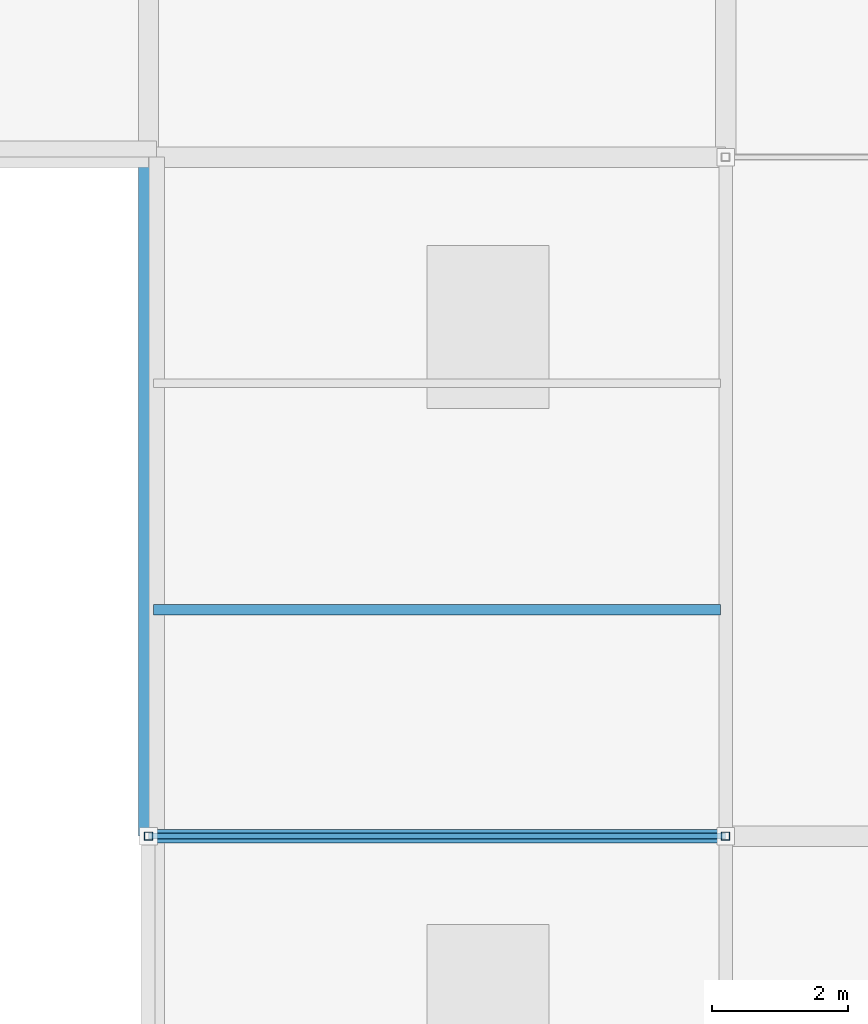
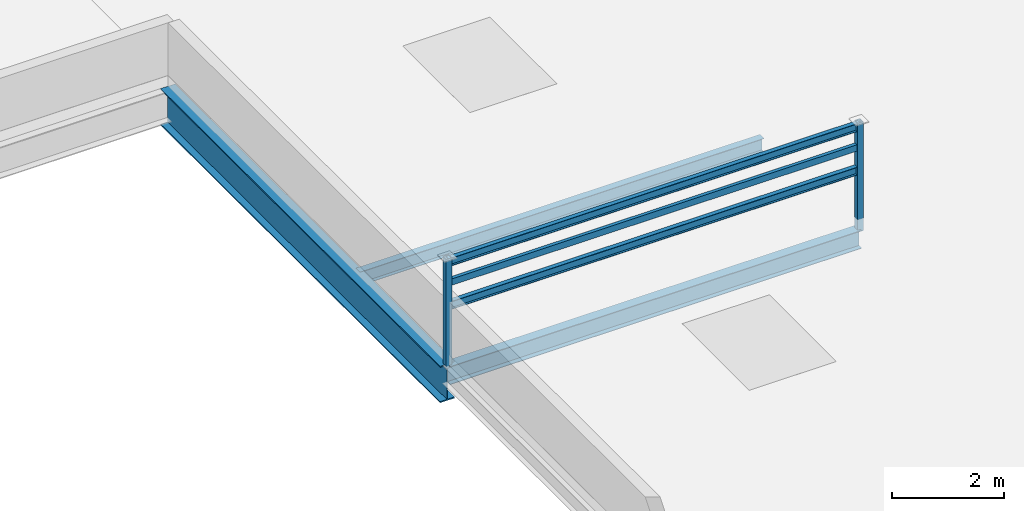
# One storey, part 4 of 35: 5 members, 3 beams.
"""IFC4 building model written with IfcOpenShell, lengths in metres."""

from ifc_helpers import new_model, si_unit, direction, frame, origin, origin_2d, place, context, subcontext, project, spatial, hollow_rectangle, i_section, extrude, material, material_profile, profile_set, type_object, element, save


model = new_model("IFC4")

# Units and contexts
model_context = context("Model", 3, precision=1e-05, world=origin(), true_north=direction((0.0, 1.0)))
body_context = subcontext(model_context, "Body", "Model", "MODEL_VIEW")
ifc_project = project(units=[si_unit("LENGTHUNIT", "METRE"), si_unit("AREAUNIT", "SQUARE_METRE"), si_unit("VOLUMEUNIT", "CUBIC_METRE"), si_unit("PLANEANGLEUNIT", "RADIAN"), si_unit("MASSUNIT", "GRAM", prefix="KILO")], contexts=[model_context])

# Site, building, storey
site_placement = place(None, origin())
site = spatial("IfcSite", under=ifc_project, at=site_placement, CompositionType="ELEMENT")
building_placement = place(site_placement, origin())
building = spatial("IfcBuilding", under=site, at=building_placement, Name="Solvikara Media Centre", CompositionType="ELEMENT")
storey_placement = place(building_placement, frame((0.0, 0.0, 29.39990234375)))
storey = spatial("IfcBuildingStorey", under=building, at=storey_placement, Name="L06", CompositionType="ELEMENT", Elevation=29.39990234375)

# Beams
ifc_material = material(Name="Steel S355JR", Category="steel")
ifc_material_profile_1 = material_profile(ifc_material, i_section(OverallWidth=0.300048828125, OverallDepth=0.800048828125, WebThickness=0.013916015625, FlangeThickness=0.02587890625, at=origin_2d()), Name="WF 800x300x14x26")
ifc_profile_set_1 = profile_set([ifc_material_profile_1], Name="Steel S355JR")
beam_type_1 = type_object("IfcBeamType", Name="BM-16", PredefinedType="BEAM", material=ifc_profile_set_1)
beam_1_placement = place(storey_placement, frame((51.0, 10.5, -0.6318359375), z_axis=(0.0, 1.0, 0.0), x_axis=(-1.0, 0.0, 0.0)))
element("IfcBeam", 1, at=beam_1_placement, inside=storey, type_object=beam_type_1, Name="B-L06-Y1709", PredefinedType="BEAM", context=body_context, shape_type="SweptSolid", body=[
    extrude(i_section(OverallWidth=0.300048828125, OverallDepth=0.800048828125, WebThickness=0.013916015625, FlangeThickness=0.02587890625, at=origin_2d()), origin(), (0.0, 0.0, 1.0), 10.0),
])
ifc_material_profile_2 = material_profile(ifc_material, i_section(OverallWidth=0.14892578125, OverallDepth=0.298095703125, WebThickness=0.005615234375, FlangeThickness=0.008056640625, at=origin_2d()), Name="WF 298x149x5.5x8")
ifc_profile_set_2 = profile_set([ifc_material_profile_2], Name="Steel S355JR")
beam_type_2 = type_object("IfcBeamType", Name="BM-39", PredefinedType="JOIST", material=ifc_profile_set_2)
beam_2_placement = place(storey_placement, frame((51.077880859375, 13.8330078125, -0.380859375), z_axis=(1.0, 0.0, 0.0), x_axis=(0.0, 1.0, 0.0)))
element("IfcBeam", 2, at=beam_2_placement, inside=storey, type_object=beam_type_2, Name="J-L06-1727", PredefinedType="JOIST", context=body_context, shape_type="SweptSolid", body=[
    extrude(i_section(OverallWidth=0.14892578125, OverallDepth=0.298095703125, WebThickness=0.005615234375, FlangeThickness=0.008056640625, at=origin_2d()), origin(), (0.0, 0.0, 1.0), 8.34423828125),
])
ifc_material_profile_3 = material_profile(ifc_material, i_section(OverallWidth=0.198974609375, OverallDepth=0.39599609375, WebThickness=0.007080078125, FlangeThickness=0.010986328125, at=origin_2d()), Name="H 396x199x7x11")
ifc_profile_set_3 = profile_set([ifc_material_profile_3], Name="Steel S355JR")
beam_type_3 = type_object("IfcBeamType", Name="BM-44", PredefinedType="BEAM", material=ifc_profile_set_3)
beam_3_placement = place(storey_placement, frame((51.0, 10.5, -0.429931640625), z_axis=(1.0, 0.0, 0.0), x_axis=(0.0, 1.0, 0.0)))
element("IfcBeam", 3, at=beam_3_placement, inside=storey, type_object=beam_type_3, Name="B-L06-X1694", PredefinedType="BEAM", context=body_context, shape_type="SweptSolid", body=[
    extrude(i_section(OverallWidth=0.198974609375, OverallDepth=0.39599609375, WebThickness=0.007080078125, FlangeThickness=0.010986328125, at=origin_2d()), origin(), (0.0, 0.0, 1.0), 8.5),
])

# Members
ifc_material_profile_4 = material_profile(ifc_material, hollow_rectangle(XDim=0.070068359375, YDim=0.139892578125, WallThickness=0.0048828125, at=origin_2d()), Name="RHS 140x70x5")
ifc_profile_set_4 = profile_set([ifc_material_profile_4], Name="Steel S355JR")
member_type_1 = type_object("IfcMemberType", Name="MB-20", PredefinedType="PURLIN", material=ifc_profile_set_4)
member_placement = place(storey_placement, frame((51.0, 10.5, 1.550048828125), z_axis=(1.0, 0.0, 0.0), x_axis=(0.0, 1.0, 0.0)))
element("IfcMember", 4, at=member_placement, inside=storey, type_object=member_type_1, Name="PS-PRL-3", PredefinedType="PURLIN", context=body_context, shape_type="SweptSolid", body=[
    extrude(hollow_rectangle(XDim=0.070068359375, YDim=0.139892578125, WallThickness=0.0048828125, at=origin_2d()), origin(), (0.0, 0.0, 1.0), 8.5),
])
ifc_material_profile_5 = material_profile(ifc_material, i_section(OverallWidth=0.090087890625, OverallDepth=0.175048828125, WebThickness=0.0048828125, FlangeThickness=0.008056640625, at=origin_2d()), Name="WF 175x90x5x8")
ifc_profile_set_5 = profile_set([ifc_material_profile_5], Name="Steel S355JR")
member_type_2 = type_object("IfcMemberType", Name="MB-22", PredefinedType="PURLIN", material=ifc_profile_set_5)
for number, where, z_axis, x_axis, name in (
    (5, (51.0, 10.5, 1.050048828125), (1.0, 0.0, 0.0), (0.0, 1.0, 0.0), "PS-RAIL-M3"),
    (6, (51.0, 10.5, 2.0), (1.0, 0.0, 0.0), (0.0, 1.0, 0.0), "PS-RAIL-T3"),
):
    element("IfcMember", number, at=place(storey_placement, frame(where, z_axis=z_axis, x_axis=x_axis)), inside=storey, type_object=member_type_2, Name=name, PredefinedType="PURLIN", context=body_context, shape_type="SweptSolid", body=[
        extrude(i_section(OverallWidth=0.090087890625, OverallDepth=0.175048828125, WebThickness=0.0048828125, FlangeThickness=0.008056640625, at=origin_2d()), origin(), (0.0, 0.0, 1.0), 8.5),
    ])
ifc_material_profile_6 = material_profile(ifc_material, hollow_rectangle(XDim=0.1201171875, YDim=0.1201171875, WallThickness=0.006103515625, at=origin_2d()), Name="RHS 120x120x6")
ifc_profile_set_6 = profile_set([ifc_material_profile_6], Name="Steel S355JR")
member_type_3 = type_object("IfcMemberType", Name="MB-24", PredefinedType="POST", material=ifc_profile_set_6)
for number, where, z_axis, x_axis, name in (
    (7, (51.0, 10.5, -0.27978515625), (0.0, 0.0, 1.0), (1.0, 0.0, 0.0), "PS-POST-A3"),
    (8, (59.5, 10.5, -0.27978515625), (0.0, 0.0, 1.0), (1.0, 0.0, 0.0), "PS-POST-B3"),
):
    element("IfcMember", number, at=place(storey_placement, frame(where, z_axis=z_axis, x_axis=x_axis)), inside=storey, type_object=member_type_3, Name=name, PredefinedType="POST", context=body_context, shape_type="SweptSolid", body=[
        extrude(hollow_rectangle(XDim=0.1201171875, YDim=0.1201171875, WallThickness=0.006103515625, at=origin_2d()), origin(), (0.0, 0.0, 1.0), 2.3798828125),
    ])

save(model, "model.ifc")
